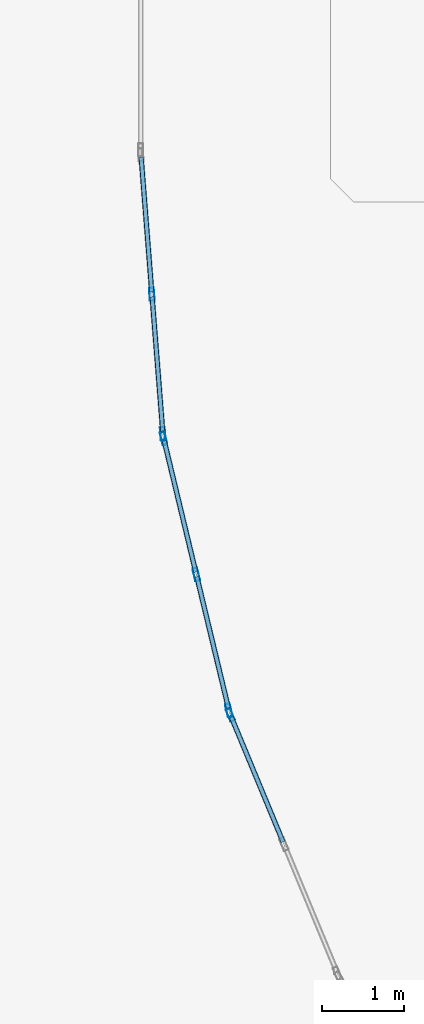
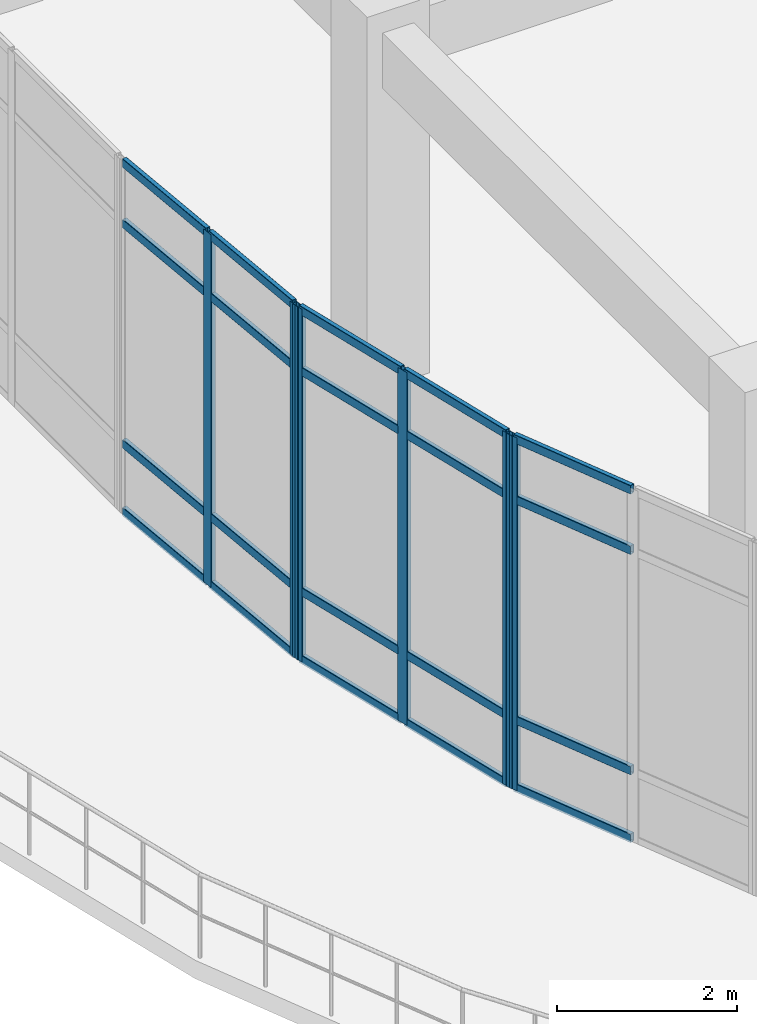
# One storey, part 6 of 124: 26 members, 3 elements without a shape of their own.
"""IFC4 building model written with IfcOpenShell, lengths in metres."""

import ifcopenshell
import ifcopenshell.guid

model = None  # the IFC model being written
_history = None  # IfcOwnerHistory: only IFC2X3 demands one
_inside = {}  # id of a spatial element -> (the spatial element, [elements in it])
_under = {}  # id of a project, library or spatial element -> (it, [spatial elements below it])
_declared = {}  # id of a project -> (the project, [libraries it declares])
_typed = {}  # id of a type object -> (the type object, [elements of that type])
_made_of = {}  # id of a material, layer set ... -> (it, [elements and type objects made of it])


def new_model(schema):
    """Start an empty IFC model of exactly this schema.

    Asked for "IFC4X3", IfcOpenShell would pick the latest addendum, in which some entities
    have other attributes; the version numbers below select the first issue.
    IFC2X3 requires an IfcOwnerHistory on every rooted entity: one is made here for all.
    """
    global model, _history
    if schema == "IFC4X3":
        model = ifcopenshell.file(schema_version=(4, 3, 0, 0))
    else:
        model = ifcopenshell.file(schema=schema)
    _inside.clear()
    _under.clear()
    _declared.clear()
    _typed.clear()
    _made_of.clear()
    _history = None
    if model.schema == "IFC2X3":
        org = make("IfcOrganization", Name="unknown")
        user = make(
            "IfcPersonAndOrganization",
            ThePerson=make("IfcPerson", FamilyName="unknown"),
            TheOrganization=org,
        )
        app = make(
            "IfcApplication",
            ApplicationDeveloper=org,
            Version="unknown",
            ApplicationFullName="unknown",
            ApplicationIdentifier="unknown",
        )
        _history = make(
            "IfcOwnerHistory",
            OwningUser=user,
            OwningApplication=app,
            ChangeAction="ADDED",
            CreationDate=0,
        )
    return model


def make(cls, **values):
    """One entity of the class cls with the attributes given. An attribute that is None is left unset."""
    return model.create_entity(
        cls, **{name: value for name, value in values.items() if value is not None}
    )


def rooted(cls, **values):
    """An entity with a GlobalId (a new one), such as an element, a storey or a relation."""
    return make(cls, GlobalId=ifcopenshell.guid.new(), OwnerHistory=_history, **values)


def si_unit(unit_type, name, prefix=None):
    """IfcSIUnit, for example si_unit("LENGTHUNIT", "METRE", prefix="MILLI")."""
    return make("IfcSIUnit", UnitType=unit_type, Prefix=prefix, Name=name)


def derived_unit(unit_type, elements):
    """IfcDerivedUnit: a product of units, each with its exponent."""
    return make(
        "IfcDerivedUnit",
        Elements=[
            make("IfcDerivedUnitElement", Unit=unit, Exponent=power)
            for unit, power in elements
        ],
        UnitType=unit_type,
    )


def assignment(units):
    """IfcUnitAssignment: the units of a project."""
    return None if units is None else make("IfcUnitAssignment", Units=units)


def point(xyz):
    """IfcCartesianPoint."""
    return None if xyz is None else make("IfcCartesianPoint", Coordinates=xyz)


def direction(xyz):
    """IfcDirection."""
    return None if xyz is None else make("IfcDirection", DirectionRatios=xyz)


def frame(location, z_axis=None, x_axis=None):
    """IfcAxis2Placement3D, a coordinate frame: its origin and axes. An axis left out is left unset."""
    return make(
        "IfcAxis2Placement3D",
        Location=point(location),
        Axis=direction(z_axis),
        RefDirection=direction(x_axis),
    )


def frame_2d(location, x_axis=None):
    """IfcAxis2Placement2D, a coordinate frame in the plane: its origin and x axis."""
    return make(
        "IfcAxis2Placement2D", Location=point(location), RefDirection=direction(x_axis)
    )


def origin():
    """The frame at (0, 0, 0) with its axes left unset."""
    return frame((0.0, 0.0, 0.0))


def origin_2d():
    """The frame at (0, 0) in the plane with its x axis left unset."""
    return frame_2d((0.0, 0.0))


def place(relative_to, where):
    """IfcLocalPlacement: puts the frame where relative to a parent placement (None: the world)."""
    return make(
        "IfcLocalPlacement", PlacementRelTo=relative_to, RelativePlacement=where
    )


def context(
    kind, dimensions, precision=None, world=None, true_north=None, identifier=None
):
    """IfcGeometricRepresentationContext, for example the 3D "Model" context."""
    return make(
        "IfcGeometricRepresentationContext",
        ContextIdentifier=identifier,
        ContextType=kind,
        CoordinateSpaceDimension=dimensions,
        Precision=precision,
        WorldCoordinateSystem=world,
        TrueNorth=true_north,
    )


def subcontext(parent, identifier, kind, view, scale=None):
    """IfcGeometricRepresentationSubContext, for example "Body" below "Model"."""
    return make(
        "IfcGeometricRepresentationSubContext",
        ContextIdentifier=identifier,
        ContextType=kind,
        ParentContext=parent,
        TargetScale=scale,
        TargetView=view,
    )


def project(units=None, contexts=None):
    """IfcProject with its units and contexts."""
    return rooted(
        "IfcProject",
        Name="project",
        RepresentationContexts=contexts,
        UnitsInContext=assignment(units),
    )


def spatial(cls, under=None, at=None, **own):
    """A site, building, storey or space (cls), placed at a placement, below another one or the project."""
    s = rooted(cls, ObjectPlacement=at, **own)
    if under is not None:
        _under.setdefault(under.id(), (under, []))[1].append(s)
    return s


def profile(cls, at=None, kind="AREA", **sizes):
    """A parametric profile (cls). Its sizes go by their IFC names, for example OverallWidth=200.0."""
    return make(cls, ProfileType=kind, Position=at, **sizes)


def hollow_rectangle(**sizes):
    """IfcRectangleHollowProfileDef."""
    return profile("IfcRectangleHollowProfileDef", **sizes)


def extrude(swept, where, along, depth):
    """IfcExtrudedAreaSolid: the profile swept, set in the frame where, extruded along a direction by depth."""
    return make(
        "IfcExtrudedAreaSolid",
        SweptArea=swept,
        Position=where,
        ExtrudedDirection=direction(along),
        Depth=depth,
    )


def shape(context_of_items, identifier, shape_type, items):
    """IfcShapeRepresentation: the items that make up one representation, for example the "Body"."""
    return make(
        "IfcShapeRepresentation",
        ContextOfItems=context_of_items,
        RepresentationIdentifier=identifier,
        RepresentationType=shape_type,
        Items=items,
    )


def material(Name=None, Category=None):
    """IfcMaterial."""
    return make("IfcMaterial", Name=Name, Category=Category)


def layer(
    of_material, thickness, ventilated=None, Name=None, Category=None, Priority=None
):
    """IfcMaterialLayer: one layer of a wall or slab, of a material (None: an air gap)."""
    return make(
        "IfcMaterialLayer",
        Material=of_material,
        LayerThickness=thickness,
        IsVentilated=ventilated,
        Name=Name,
        Category=Category,
        Priority=Priority,
    )


def layer_set(layers, Name=None):
    """IfcMaterialLayerSet."""
    return make("IfcMaterialLayerSet", MaterialLayers=layers, LayerSetName=Name)


def material_profile(
    of_material, cross_section, Name=None, Category=None, Priority=None
):
    """IfcMaterialProfile: a cross section and its material."""
    return make(
        "IfcMaterialProfile",
        Name=Name,
        Material=of_material,
        Profile=cross_section,
        Priority=Priority,
        Category=Category,
    )


def profile_set(profiles, Name=None, composite=None):
    """IfcMaterialProfileSet."""
    return make(
        "IfcMaterialProfileSet",
        Name=Name,
        MaterialProfiles=profiles,
        CompositeProfile=composite,
    )


def made_of(thing, what):
    """Note that an element or type object is made of a material, layer set ...; save() writes the relation."""
    if what is not None:
        _made_of.setdefault(what.id(), (what, []))[1].append(thing)
    return thing


def type_object(cls, material=None, **own):
    """A type object (cls), such as IfcWallType, which elements share."""
    return made_of(rooted(cls, **own), material)


def element(
    cls,
    number,
    at=None,
    inside=None,
    cuts=None,
    type_object=None,
    material=None,
    context=None,
    identifier="Body",
    shape_type=None,
    held_by="IfcProductDefinitionShape",
    body=None,
    shapes=None,
    **own,
):
    """One element of the class cls, such as IfcWall. Its Tag is "e" and its number.

    at: its placement. inside: the storey or other place that contains it. cuts: it is an
    opening in that element (IfcRelVoidsElement). A single representation is given by context,
    identifier, shape_type and body (its items); several are given by shapes. held_by: the class
    of the entity that holds the representations. save() writes the other relations.
    """
    e = rooted(cls, Tag="e%d" % number, ObjectPlacement=at, **own)
    if body is not None:
        shapes = [shape(context, identifier, shape_type, body)]
    if shapes is not None:
        e.Representation = make(held_by, Representations=shapes)
    if inside is not None:
        _inside.setdefault(inside.id(), (inside, []))[1].append(e)
    if cuts is not None:
        rooted(
            "IfcRelVoidsElement", RelatingBuildingElement=cuts, RelatedOpeningElement=e
        )
    if type_object is not None:
        _typed.setdefault(type_object.id(), (type_object, []))[1].append(e)
    return made_of(e, material)


def aggregate(whole, parts):
    """IfcRelAggregates: a whole, such as a stair, and the parts it consists of."""
    return rooted("IfcRelAggregates", RelatingObject=whole, RelatedObjects=parts)


def save(model, path):
    """Write the relations noted so far, then the file.

    IfcRelAggregates (storeys below a building ...), IfcRelContainedInSpatialStructure (elements
    in a storey), IfcRelDefinesByType, IfcRelAssociatesMaterial and IfcRelDeclares: one each for
    every whole, place, type object, material and project.
    """
    for whole, parts in _under.values():
        aggregate(whole, parts)
    for where, things in _inside.values():
        rooted(
            "IfcRelContainedInSpatialStructure",
            RelatedElements=things,
            RelatingStructure=where,
        )
    for kind, things in _typed.values():
        rooted("IfcRelDefinesByType", RelatedObjects=things, RelatingType=kind)
    for what, things in _made_of.values():
        rooted("IfcRelAssociatesMaterial", RelatedObjects=things, RelatingMaterial=what)
    for by, libraries in _declared.values():
        rooted("IfcRelDeclares", RelatingContext=by, RelatedDefinitions=libraries)
    model.write(path)


model = new_model("IFC4")

# Units and contexts
model_context = context("Model", 3, precision=1e-05, world=origin(), true_north=direction((0.0, 1.0)))
body_context = subcontext(model_context, "Body", "Model", "MODEL_VIEW")
ifc_project = project(units=[si_unit("LENGTHUNIT", "METRE"), si_unit("AREAUNIT", "SQUARE_METRE"), si_unit("VOLUMEUNIT", "CUBIC_METRE"), si_unit("PLANEANGLEUNIT", "RADIAN"), si_unit("MASSUNIT", "GRAM", prefix="KILO"), derived_unit("THERMALTRANSMITTANCEUNIT", [(si_unit("MASSUNIT", "GRAM", prefix="KILO"), 1), (si_unit("TIMEUNIT", "SECOND"), -3), (si_unit("THERMODYNAMICTEMPERATUREUNIT", "KELVIN"), -1)])], contexts=[model_context])

# Site, building, storey
site_placement = place(None, origin())
site = spatial("IfcSite", under=ifc_project, at=site_placement, CompositionType="ELEMENT")
building_placement = place(site_placement, origin())
building = spatial("IfcBuilding", under=site, at=building_placement, Name="Qinzheling Arcade Emporium", CompositionType="ELEMENT")
storey_placement = place(building_placement, frame((0.0, 0.0, 16.5)))
storey = spatial("IfcBuildingStorey", under=building, at=storey_placement, Name="L04", CompositionType="ELEMENT", Elevation=16.5)

# Curtain wall, member
ifc_material_1 = material(Name="Anodised aluminium and solar-control double glazing", Category="aluminium")
ifc_layer = layer(ifc_material_1, 0.159912109375, Name="Anodised aluminium and solar-control double glazing", Category="aluminium")
ifc_layer_set = layer_set([ifc_layer], Name="Anodised aluminium and solar-control double glazing")
curtain_wall_type = type_object("IfcCurtainWallType", Name="Curved Ribbon Sales Curtain Wall", PredefinedType="NOTDEFINED", material=ifc_layer_set)
curtain_wall_1_placement = place(storey_placement, origin())
curtain_wall_1 = element("IfcCurtainWall", 1, at=curtain_wall_1_placement, inside=storey, type_object=curtain_wall_type, Name="Curtain Wall CW-L04-232", PredefinedType="NOTDEFINED")
ifc_material_2 = material(Name="Anodised aluminium 6063-T6", Category="aluminium")
ifc_material_profile_1 = material_profile(ifc_material_2, hollow_rectangle(XDim=0.06005859375, YDim=0.159912109375, WallThickness=0.00390625, InnerFilletRadius=0.00390625, OuterFilletRadius=0.008056640625, at=origin_2d()), Name="RHS 160x60x4", Category="aluminium")
ifc_profile_set_1 = profile_set([ifc_material_profile_1], Name="Anodised aluminium 6063-T6")
member_type_1 = type_object("IfcMemberType", Name="Curtain Wall Mullion RHS160x60", PredefinedType="MULLION", material=ifc_profile_set_1)
member_1_placement = place(storey_placement, frame((5.888427734375, 17.374267578125, 0.0), z_axis=(0.0, 0.0, 1.0), x_axis=(-0.923914473777, -0.382599065793, 0.0)))
member_1 = element("IfcMember", 2, at=member_1_placement, type_object=member_type_1, Name="CW02 mullion 3", PredefinedType="MULLION", context=body_context, shape_type="SweptSolid", body=[
    extrude(hollow_rectangle(XDim=0.06005859375, YDim=0.159912109375, WallThickness=0.00390625, InnerFilletRadius=0.00390625, OuterFilletRadius=0.008056640625, at=origin_2d()), origin(), (0.0, 0.0, 1.0), 4.7900390625),
])

# Curtain wall, members
curtain_wall_2_placement = place(storey_placement, origin())
curtain_wall_2 = element("IfcCurtainWall", 3, at=curtain_wall_2_placement, inside=storey, type_object=curtain_wall_type, Name="Curtain Wall CW-L04-233", PredefinedType="NOTDEFINED")
member_2_placement = place(storey_placement, frame((5.869873046875, 17.43115234375, 0.0), z_axis=(0.0, 0.0, 1.0), x_axis=(-0.97235047031, -0.23352636444, 0.0)))
member_2 = element("IfcMember", 4, at=member_2_placement, type_object=member_type_1, Name="CW02 mullion 1", PredefinedType="MULLION", context=body_context, shape_type="SweptSolid", body=[
    extrude(hollow_rectangle(XDim=0.06005859375, YDim=0.159912109375, WallThickness=0.00390625, InnerFilletRadius=0.00390625, OuterFilletRadius=0.008056640625, at=origin_2d()), origin(), (0.0, 0.0, 1.0), 4.7900390625),
])
member_3_placement = place(storey_placement, frame((5.47412109375, 19.080078125, 0.0), z_axis=(0.0, 0.0, 1.0), x_axis=(-0.97235047031, -0.23352636444, 0.0)))
member_3 = element("IfcMember", 5, at=member_3_placement, type_object=member_type_1, Name="CW02 mullion 2", PredefinedType="MULLION", context=body_context, shape_type="SweptSolid", body=[
    extrude(hollow_rectangle(XDim=0.06005859375, YDim=0.159912109375, WallThickness=0.00390625, InnerFilletRadius=0.00390625, OuterFilletRadius=0.008056640625, at=origin_2d()), origin(), (0.0, 0.0, 1.0), 4.7900390625),
])
member_4_placement = place(storey_placement, frame((5.078125, 20.728759765625, 0.0), z_axis=(0.0, 0.0, 1.0), x_axis=(-0.97235047031, -0.23352636444, 0.0)))
member_4 = element("IfcMember", 6, at=member_4_placement, type_object=member_type_1, Name="CW02 mullion 3", PredefinedType="MULLION", context=body_context, shape_type="SweptSolid", body=[
    extrude(hollow_rectangle(XDim=0.06005859375, YDim=0.159912109375, WallThickness=0.00390625, InnerFilletRadius=0.00390625, OuterFilletRadius=0.008056640625, at=origin_2d()), origin(), (0.0, 0.0, 1.0), 4.7900390625),
])

curtain_wall_3_placement = place(storey_placement, origin())
curtain_wall_3 = element("IfcCurtainWall", 7, at=curtain_wall_3_placement, inside=storey, type_object=curtain_wall_type, Name="Curtain Wall CW-L04-234", PredefinedType="NOTDEFINED")
member_5_placement = place(storey_placement, frame((5.068603515625, 20.787841796875, 0.0), z_axis=(0.0, 0.0, 1.0), x_axis=(-0.996914870157, -0.078490392152, 0.0)))
member_5 = element("IfcMember", 8, at=member_5_placement, type_object=member_type_1, Name="CW02 mullion 1", PredefinedType="MULLION", context=body_context, shape_type="SweptSolid", body=[
    extrude(hollow_rectangle(XDim=0.06005859375, YDim=0.159912109375, WallThickness=0.00390625, InnerFilletRadius=0.00390625, OuterFilletRadius=0.008056640625, at=origin_2d()), origin(), (0.0, 0.0, 1.0), 4.7900390625),
])
member_6_placement = place(storey_placement, frame((4.935546875, 22.47900390625, 0.0), z_axis=(0.0, 0.0, 1.0), x_axis=(-0.996914870157, -0.078490392152, 0.0)))
member_6 = element("IfcMember", 9, at=member_6_placement, type_object=member_type_1, Name="CW02 mullion 2", PredefinedType="MULLION", context=body_context, shape_type="SweptSolid", body=[
    extrude(hollow_rectangle(XDim=0.06005859375, YDim=0.159912109375, WallThickness=0.00390625, InnerFilletRadius=0.00390625, OuterFilletRadius=0.008056640625, at=origin_2d()), origin(), (0.0, 0.0, 1.0), 4.7900390625),
])

# Member
ifc_material_profile_2 = material_profile(ifc_material_2, hollow_rectangle(XDim=0.06005859375, YDim=0.1201171875, WallThickness=0.00390625, InnerFilletRadius=0.00390625, OuterFilletRadius=0.008056640625, at=origin_2d()), Name="RHS 120x60x4", Category="aluminium")
ifc_profile_set_2 = profile_set([ifc_material_profile_2], Name="Anodised aluminium 6063-T6")
member_type_2 = type_object("IfcMemberType", Name="Curtain Wall Transom RHS120x60", PredefinedType="USERDEFINED", material=ifc_profile_set_2)
member_7_placement = place(storey_placement, frame((6.526123046875, 15.834716796875, 0.030029296875), z_axis=(-0.382654833608, 0.923891377986, 0.0), x_axis=(-0.923891377986, -0.382654833608, 0.0)))
member_7 = element("IfcMember", 10, at=member_7_placement, type_object=member_type_2, Name="CW02 transom 2.1", ObjectType="TRANSOM", PredefinedType="USERDEFINED", context=body_context, shape_type="SweptSolid", body=[
    extrude(hollow_rectangle(XDim=0.06005859375, YDim=0.1201171875, WallThickness=0.00390625, InnerFilletRadius=0.00390625, OuterFilletRadius=0.008056640625, at=origin_2d()), origin(), (0.0, 0.0, 1.0), 1.636474609375),
])

member_8_placement = place(storey_placement, frame((6.526123046875, 15.834716796875, 0.949951171875), z_axis=(-0.382654833608, 0.923891377986, 0.0), x_axis=(-0.923891377986, -0.382654833608, 0.0)))
member_8 = element("IfcMember", 11, at=member_8_placement, type_object=member_type_2, Name="CW02 transom 2.2", ObjectType="TRANSOM", PredefinedType="USERDEFINED", context=body_context, shape_type="SweptSolid", body=[
    extrude(hollow_rectangle(XDim=0.06005859375, YDim=0.1201171875, WallThickness=0.00390625, InnerFilletRadius=0.00390625, OuterFilletRadius=0.008056640625, at=origin_2d()), origin(), (0.0, 0.0, 1.0), 1.636474609375),
])

member_9_placement = place(storey_placement, frame((6.526123046875, 15.834716796875, 3.93994140625), z_axis=(-0.382654833608, 0.923891377986, 0.0), x_axis=(-0.923891377986, -0.382654833608, 0.0)))
member_9 = element("IfcMember", 12, at=member_9_placement, type_object=member_type_2, Name="CW02 transom 2.3", ObjectType="TRANSOM", PredefinedType="USERDEFINED", context=body_context, shape_type="SweptSolid", body=[
    extrude(hollow_rectangle(XDim=0.06005859375, YDim=0.1201171875, WallThickness=0.00390625, InnerFilletRadius=0.00390625, OuterFilletRadius=0.008056640625, at=origin_2d()), origin(), (0.0, 0.0, 1.0), 1.636474609375),
])

member_10_placement = place(storey_placement, frame((6.526123046875, 15.834716796875, 4.760009765625), z_axis=(-0.382654833608, 0.923891377986, 0.0), x_axis=(-0.923891377986, -0.382654833608, 0.0)))
member_10 = element("IfcMember", 13, at=member_10_placement, type_object=member_type_2, Name="CW02 transom 2.4", ObjectType="TRANSOM", PredefinedType="USERDEFINED", context=body_context, shape_type="SweptSolid", body=[
    extrude(hollow_rectangle(XDim=0.06005859375, YDim=0.1201171875, WallThickness=0.00390625, InnerFilletRadius=0.00390625, OuterFilletRadius=0.008056640625, at=origin_2d()), origin(), (0.0, 0.0, 1.0), 1.636474609375),
])

aggregate(curtain_wall_1, [member_1, member_7, member_8, member_9, member_10])

member_11_placement = place(storey_placement, frame((5.863037109375, 17.46044921875, 0.030029296875), z_axis=(-0.233604412876, 0.972331722348, 0.0), x_axis=(-0.972331722348, -0.233604412876, 0.0)))
member_11 = element("IfcMember", 14, at=member_11_placement, type_object=member_type_2, Name="CW02 transom 1.1", ObjectType="TRANSOM", PredefinedType="USERDEFINED", context=body_context, shape_type="SweptSolid", body=[
    extrude(hollow_rectangle(XDim=0.06005859375, YDim=0.1201171875, WallThickness=0.00390625, InnerFilletRadius=0.00390625, OuterFilletRadius=0.008056640625, at=origin_2d()), origin(), (0.0, 0.0, 1.0), 1.635498046875),
])

member_12_placement = place(storey_placement, frame((5.863037109375, 17.46044921875, 0.949951171875), z_axis=(-0.233604412876, 0.972331722348, 0.0), x_axis=(-0.972331722348, -0.233604412876, 0.0)))
member_12 = element("IfcMember", 15, at=member_12_placement, type_object=member_type_2, Name="CW02 transom 1.2", ObjectType="TRANSOM", PredefinedType="USERDEFINED", context=body_context, shape_type="SweptSolid", body=[
    extrude(hollow_rectangle(XDim=0.06005859375, YDim=0.1201171875, WallThickness=0.00390625, InnerFilletRadius=0.00390625, OuterFilletRadius=0.008056640625, at=origin_2d()), origin(), (0.0, 0.0, 1.0), 1.635498046875),
])

member_13_placement = place(storey_placement, frame((5.863037109375, 17.46044921875, 3.93994140625), z_axis=(-0.233604412876, 0.972331722348, 0.0), x_axis=(-0.972331722348, -0.233604412876, 0.0)))
member_13 = element("IfcMember", 16, at=member_13_placement, type_object=member_type_2, Name="CW02 transom 1.3", ObjectType="TRANSOM", PredefinedType="USERDEFINED", context=body_context, shape_type="SweptSolid", body=[
    extrude(hollow_rectangle(XDim=0.06005859375, YDim=0.1201171875, WallThickness=0.00390625, InnerFilletRadius=0.00390625, OuterFilletRadius=0.008056640625, at=origin_2d()), origin(), (0.0, 0.0, 1.0), 1.635498046875),
])

member_14_placement = place(storey_placement, frame((5.863037109375, 17.46044921875, 4.760009765625), z_axis=(-0.233604412876, 0.972331722348, 0.0), x_axis=(-0.972331722348, -0.233604412876, 0.0)))
member_14 = element("IfcMember", 17, at=member_14_placement, type_object=member_type_2, Name="CW02 transom 1.4", ObjectType="TRANSOM", PredefinedType="USERDEFINED", context=body_context, shape_type="SweptSolid", body=[
    extrude(hollow_rectangle(XDim=0.06005859375, YDim=0.1201171875, WallThickness=0.00390625, InnerFilletRadius=0.00390625, OuterFilletRadius=0.008056640625, at=origin_2d()), origin(), (0.0, 0.0, 1.0), 1.635498046875),
])

member_15_placement = place(storey_placement, frame((5.467041015625, 19.109130859375, 0.030029296875), z_axis=(-0.233570512775, 0.972339866282, 0.0), x_axis=(-0.972339866282, -0.233570512775, 0.0)))
member_15 = element("IfcMember", 18, at=member_15_placement, type_object=member_type_2, Name="CW02 transom 2.1", ObjectType="TRANSOM", PredefinedType="USERDEFINED", context=body_context, shape_type="SweptSolid", body=[
    extrude(hollow_rectangle(XDim=0.06005859375, YDim=0.1201171875, WallThickness=0.00390625, InnerFilletRadius=0.00390625, OuterFilletRadius=0.008056640625, at=origin_2d()), origin(), (0.0, 0.0, 1.0), 1.6357421875),
])

member_16_placement = place(storey_placement, frame((5.467041015625, 19.109130859375, 0.949951171875), z_axis=(-0.233570512775, 0.972339866282, 0.0), x_axis=(-0.972339866282, -0.233570512775, 0.0)))
member_16 = element("IfcMember", 19, at=member_16_placement, type_object=member_type_2, Name="CW02 transom 2.2", ObjectType="TRANSOM", PredefinedType="USERDEFINED", context=body_context, shape_type="SweptSolid", body=[
    extrude(hollow_rectangle(XDim=0.06005859375, YDim=0.1201171875, WallThickness=0.00390625, InnerFilletRadius=0.00390625, OuterFilletRadius=0.008056640625, at=origin_2d()), origin(), (0.0, 0.0, 1.0), 1.6357421875),
])

member_17_placement = place(storey_placement, frame((5.467041015625, 19.109130859375, 3.93994140625), z_axis=(-0.233570512775, 0.972339866282, 0.0), x_axis=(-0.972339866282, -0.233570512775, 0.0)))
member_17 = element("IfcMember", 20, at=member_17_placement, type_object=member_type_2, Name="CW02 transom 2.3", ObjectType="TRANSOM", PredefinedType="USERDEFINED", context=body_context, shape_type="SweptSolid", body=[
    extrude(hollow_rectangle(XDim=0.06005859375, YDim=0.1201171875, WallThickness=0.00390625, InnerFilletRadius=0.00390625, OuterFilletRadius=0.008056640625, at=origin_2d()), origin(), (0.0, 0.0, 1.0), 1.6357421875),
])

member_18_placement = place(storey_placement, frame((5.467041015625, 19.109130859375, 4.760009765625), z_axis=(-0.233570512775, 0.972339866282, 0.0), x_axis=(-0.972339866282, -0.233570512775, 0.0)))
member_18 = element("IfcMember", 21, at=member_18_placement, type_object=member_type_2, Name="CW02 transom 2.4", ObjectType="TRANSOM", PredefinedType="USERDEFINED", context=body_context, shape_type="SweptSolid", body=[
    extrude(hollow_rectangle(XDim=0.06005859375, YDim=0.1201171875, WallThickness=0.00390625, InnerFilletRadius=0.00390625, OuterFilletRadius=0.008056640625, at=origin_2d()), origin(), (0.0, 0.0, 1.0), 1.6357421875),
])

aggregate(curtain_wall_2, [member_2, member_3, member_4, member_11, member_12, member_13, member_14, member_15, member_16, member_17, member_18])

member_19_placement = place(storey_placement, frame((5.06640625, 20.81787109375, 0.030029296875), z_axis=(-0.078636144782, 0.996903383851, 0.0), x_axis=(-0.996903383851, -0.078636144782, 0.0)))
member_19 = element("IfcMember", 22, at=member_19_placement, type_object=member_type_2, Name="CW02 transom 1.1", ObjectType="TRANSOM", PredefinedType="USERDEFINED", context=body_context, shape_type="SweptSolid", body=[
    extrude(hollow_rectangle(XDim=0.06005859375, YDim=0.1201171875, WallThickness=0.00390625, InnerFilletRadius=0.00390625, OuterFilletRadius=0.008056640625, at=origin_2d()), origin(), (0.0, 0.0, 1.0), 1.63623046875),
])

member_20_placement = place(storey_placement, frame((5.06640625, 20.81787109375, 0.949951171875), z_axis=(-0.078636144782, 0.996903383851, 0.0), x_axis=(-0.996903383851, -0.078636144782, 0.0)))
member_20 = element("IfcMember", 23, at=member_20_placement, type_object=member_type_2, Name="CW02 transom 1.2", ObjectType="TRANSOM", PredefinedType="USERDEFINED", context=body_context, shape_type="SweptSolid", body=[
    extrude(hollow_rectangle(XDim=0.06005859375, YDim=0.1201171875, WallThickness=0.00390625, InnerFilletRadius=0.00390625, OuterFilletRadius=0.008056640625, at=origin_2d()), origin(), (0.0, 0.0, 1.0), 1.63623046875),
])

member_21_placement = place(storey_placement, frame((5.06640625, 20.81787109375, 3.93994140625), z_axis=(-0.078636144782, 0.996903383851, 0.0), x_axis=(-0.996903383851, -0.078636144782, 0.0)))
member_21 = element("IfcMember", 24, at=member_21_placement, type_object=member_type_2, Name="CW02 transom 1.3", ObjectType="TRANSOM", PredefinedType="USERDEFINED", context=body_context, shape_type="SweptSolid", body=[
    extrude(hollow_rectangle(XDim=0.06005859375, YDim=0.1201171875, WallThickness=0.00390625, InnerFilletRadius=0.00390625, OuterFilletRadius=0.008056640625, at=origin_2d()), origin(), (0.0, 0.0, 1.0), 1.63623046875),
])

member_22_placement = place(storey_placement, frame((5.06640625, 20.81787109375, 4.760009765625), z_axis=(-0.078636144782, 0.996903383851, 0.0), x_axis=(-0.996903383851, -0.078636144782, 0.0)))
member_22 = element("IfcMember", 25, at=member_22_placement, type_object=member_type_2, Name="CW02 transom 1.4", ObjectType="TRANSOM", PredefinedType="USERDEFINED", context=body_context, shape_type="SweptSolid", body=[
    extrude(hollow_rectangle(XDim=0.06005859375, YDim=0.1201171875, WallThickness=0.00390625, InnerFilletRadius=0.00390625, OuterFilletRadius=0.008056640625, at=origin_2d()), origin(), (0.0, 0.0, 1.0), 1.63623046875),
])

member_23_placement = place(storey_placement, frame((4.93310546875, 22.5087890625, 0.030029296875), z_axis=(-0.078476176351, 0.996915989312, 0.0), x_axis=(-0.996915989312, -0.078476176351, 0.0)))
member_23 = element("IfcMember", 26, at=member_23_placement, type_object=member_type_2, Name="CW02 transom 2.1", ObjectType="TRANSOM", PredefinedType="USERDEFINED", context=body_context, shape_type="SweptSolid", body=[
    extrude(hollow_rectangle(XDim=0.06005859375, YDim=0.1201171875, WallThickness=0.00390625, InnerFilletRadius=0.00390625, OuterFilletRadius=0.008056640625, at=origin_2d()), origin(), (0.0, 0.0, 1.0), 1.636474609375),
])

member_24_placement = place(storey_placement, frame((4.93310546875, 22.5087890625, 0.949951171875), z_axis=(-0.078476176351, 0.996915989312, 0.0), x_axis=(-0.996915989312, -0.078476176351, 0.0)))
member_24 = element("IfcMember", 27, at=member_24_placement, type_object=member_type_2, Name="CW02 transom 2.2", ObjectType="TRANSOM", PredefinedType="USERDEFINED", context=body_context, shape_type="SweptSolid", body=[
    extrude(hollow_rectangle(XDim=0.06005859375, YDim=0.1201171875, WallThickness=0.00390625, InnerFilletRadius=0.00390625, OuterFilletRadius=0.008056640625, at=origin_2d()), origin(), (0.0, 0.0, 1.0), 1.636474609375),
])

member_25_placement = place(storey_placement, frame((4.93310546875, 22.5087890625, 3.93994140625), z_axis=(-0.078476176351, 0.996915989312, 0.0), x_axis=(-0.996915989312, -0.078476176351, 0.0)))
member_25 = element("IfcMember", 28, at=member_25_placement, type_object=member_type_2, Name="CW02 transom 2.3", ObjectType="TRANSOM", PredefinedType="USERDEFINED", context=body_context, shape_type="SweptSolid", body=[
    extrude(hollow_rectangle(XDim=0.06005859375, YDim=0.1201171875, WallThickness=0.00390625, InnerFilletRadius=0.00390625, OuterFilletRadius=0.008056640625, at=origin_2d()), origin(), (0.0, 0.0, 1.0), 1.636474609375),
])

member_26_placement = place(storey_placement, frame((4.93310546875, 22.5087890625, 4.760009765625), z_axis=(-0.078476176351, 0.996915989312, 0.0), x_axis=(-0.996915989312, -0.078476176351, 0.0)))
member_26 = element("IfcMember", 29, at=member_26_placement, type_object=member_type_2, Name="CW02 transom 2.4", ObjectType="TRANSOM", PredefinedType="USERDEFINED", context=body_context, shape_type="SweptSolid", body=[
    extrude(hollow_rectangle(XDim=0.06005859375, YDim=0.1201171875, WallThickness=0.00390625, InnerFilletRadius=0.00390625, OuterFilletRadius=0.008056640625, at=origin_2d()), origin(), (0.0, 0.0, 1.0), 1.636474609375),
])

aggregate(curtain_wall_3, [member_5, member_6, member_19, member_20, member_21, member_22, member_23, member_24, member_25, member_26])

save(model, "model.ifc")
